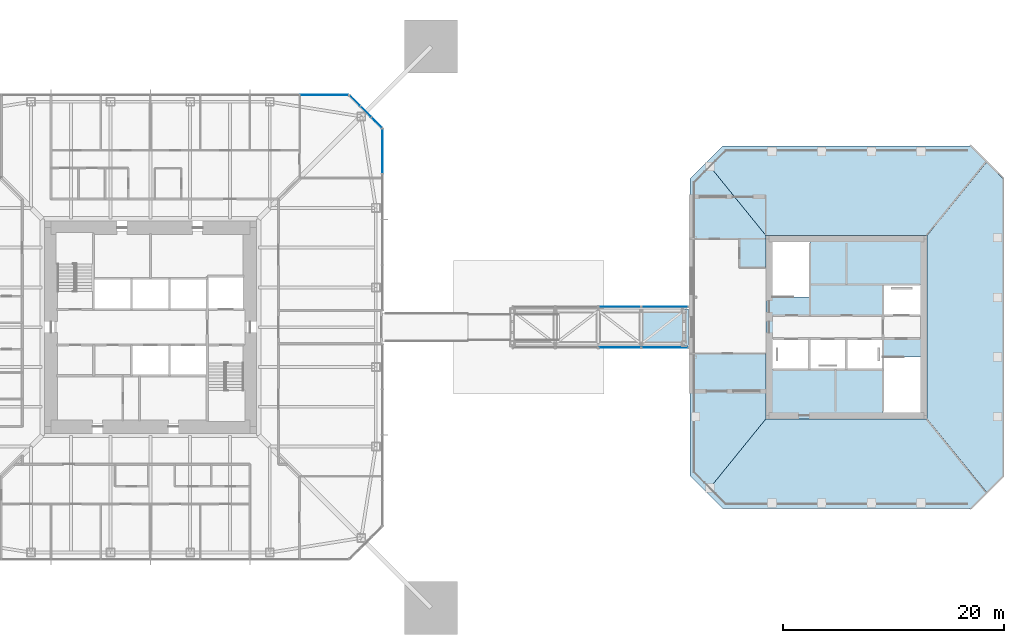
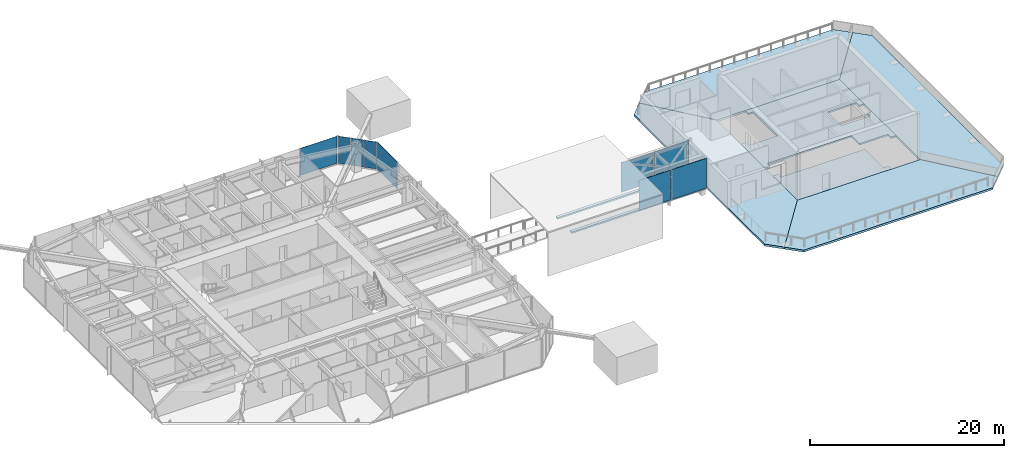
# One storey, part 11 of 23: 9 plates, 7 slabs, 7 elements without a shape of their own.
"""IFC4 building model written with IfcOpenShell, lengths in metres."""

from ifc_helpers import new_model, si_unit, direction, frame, origin, origin_2d, place, context, subcontext, project, spatial, polyline, rectangle, outline, extrude, material, layer, layer_set, type_object, element, aggregate, save


model = new_model("IFC4")

# Units and contexts
model_context = context("Model", 3, precision=1e-05, world=origin(), true_north=direction((0.0, 1.0)))
body_context = subcontext(model_context, "Body", "Model", "MODEL_VIEW")
ifc_project = project(units=[si_unit("LENGTHUNIT", "METRE"), si_unit("AREAUNIT", "SQUARE_METRE"), si_unit("VOLUMEUNIT", "CUBIC_METRE"), si_unit("PLANEANGLEUNIT", "RADIAN"), si_unit("MASSUNIT", "GRAM", prefix="KILO")], contexts=[model_context])

# Site, building, storey
site_placement = place(None, origin())
site = spatial("IfcSite", under=ifc_project, at=site_placement, CompositionType="ELEMENT")
building_placement = place(site_placement, origin())
building = spatial("IfcBuilding", under=site, at=building_placement, Name="Iwan Alto Co-Living Towers", CompositionType="ELEMENT")
storey_placement = place(building_placement, frame((0.0, 0.0, 129.5)))
storey = spatial("IfcBuildingStorey", under=building, at=storey_placement, Name="L35", CompositionType="ELEMENT", Elevation=129.5)

# Slabs
ifc_material_1 = material(Name="Concrete f'c 30 MPa", Category="concrete")
ifc_layer_1 = layer(ifc_material_1, 0.199951171875)
ifc_layer_set_1 = layer_set([ifc_layer_1], Name="BRIDGE DECK SLAB 200")
slab_type_1 = type_object("IfcSlabType", Name="BRIDGE DECK SLAB 200", PredefinedType="FLOOR", material=ifc_layer_set_1)
slab_1_placement = place(storey_placement, frame((0.0, 0.0, -0.199951171875)))
element("IfcSlab", 1, at=slab_1_placement, inside=storey, type_object=slab_type_1, Name="Skybridge BR2 deck", PredefinedType="FLOOR", context=body_context, shape_type="SweptSolid", body=[
    extrude(outline(polyline([(32.75, -1.64990234375), (48.699951171875, -1.64990234375), (48.699951171875, 1.64990234375), (32.75, 1.64990234375), (32.75, 1.300048828125), (44.41259765625, 1.300048828125), (44.41259765625, -1.300048828125), (32.75, -1.300048828125), (32.75, -1.64990234375)])), origin(), (0.0, 0.0, 1.0), 0.199951171875),
])
ifc_material_2 = material(Name="Concrete f'c 30 MPa", Category="concrete")
ifc_layer_2 = layer(ifc_material_2, 0.199951171875)
ifc_layer_set_2 = layer_set([ifc_layer_2], Name="CORE FLOOR SLAB 200")
slab_type_2 = type_object("IfcSlabType", Name="CORE FLOOR SLAB 200", PredefinedType="FLOOR", material=ifc_layer_set_2)
slab_2_placement = place(storey_placement, frame((0.0, 0.0, -0.199951171875)))
element("IfcSlab", 2, at=slab_2_placement, inside=storey, type_object=slab_type_2, Name="T2 core floor and outrigger diaphragm L35", PredefinedType="FLOOR", context=body_context, shape_type="SweptSolid", body=[
    extrude(outline(polyline([(69.699951171875, -2.719970703125), (66.300048828125, -2.719970703125), (66.300048828125, -1.050048828125), (62.967041015625, -1.050048828125), (59.633056640625, -1.050048828125), (56.300048828125, -1.050048828125), (56.300048828125, -1.659912109375), (55.699951171875, -1.659912109375), (55.699951171875, 3.330078125), (56.300048828125, 3.330078125), (56.300048828125, 2.719970703125), (59.699951171875, 2.719970703125), (59.699951171875, 7.699951171875), (59.090087890625, 7.699951171875), (59.090087890625, 8.300048828125), (70.300048828125, 8.300048828125), (70.300048828125, 3.239990234375), (69.699951171875, 3.239990234375), (69.699951171875, 3.85009765625), (66.300048828125, 3.85009765625), (66.300048828125, 1.050048828125), (69.699951171875, 1.050048828125), (69.699951171875, 1.659912109375), (70.300048828125, 1.659912109375), (70.300048828125, -3.330078125), (69.699951171875, -3.330078125), (69.699951171875, -2.719970703125)])), origin(), (0.0, 0.0, 1.0), 0.199951171875),
])
slab_3_placement = place(storey_placement, frame((0.0, 0.0, -0.199951171875)))
element("IfcSlab", 3, at=slab_3_placement, inside=storey, type_object=slab_type_2, Name="T2 core floor and outrigger diaphragm L35", PredefinedType="FLOOR", context=body_context, shape_type="SweptSolid", body=[
    extrude(outline(polyline([(62.967041015625, -3.85009765625), (66.300048828125, -3.85009765625), (66.300048828125, -7.699951171875), (66.909912109375, -7.699951171875), (66.909912109375, -8.300048828125), (55.699951171875, -8.300048828125), (55.699951171875, -3.239990234375), (56.300048828125, -3.239990234375), (56.300048828125, -3.85009765625), (59.633056640625, -3.85009765625), (62.967041015625, -3.85009765625)])), origin(), (0.0, 0.0, 1.0), 0.199951171875),
])

# Curtain wall, plate
ifc_material_3 = material(Name="Bronze aluminium unitised frame", Category="aluminium")
curtain_wall_type_1 = type_object("IfcCurtainWallType", Name="CURTAIN WALL CW-A", PredefinedType="NOTDEFINED", material=ifc_material_3)
curtain_wall_1_placement = place(storey_placement, origin())
curtain_wall_1 = element("IfcCurtainWall", 4, at=curtain_wall_1_placement, inside=storey, type_object=curtain_wall_type_1, Name="T1 curtain wall E L35 part 2", PredefinedType="NOTDEFINED")
ifc_material_4 = material(Name="Bronze-tinted insulating glass", Category="glass")
ifc_layer_3 = layer(ifc_material_4, 0.031982421875)
ifc_layer_set_3 = layer_set([ifc_layer_3], Name="CW-A PANEL TINTED IGU 32")
plate_type_1 = type_object("IfcPlateType", Name="CW-A PANEL TINTED IGU 32", PredefinedType="CURTAIN_PANEL", material=ifc_layer_set_3)
plate_1_placement = place(storey_placement, frame((21.0, 15.91748046875, 0.10009765625), z_axis=(0.0, 0.0, 1.0), x_axis=(0.0, 1.0, 0.0)))
plate_1 = element("IfcPlate", 5, at=plate_1_placement, type_object=plate_type_1, Name="CW-A panel 4.1", PredefinedType="CURTAIN_PANEL", context=body_context, shape_type="SweptSolid", body=[
    extrude(rectangle(XDim=4.0048828125, YDim=0.031982421875, at=origin_2d()), origin(), (0.0, 0.0, 1.0), 3.39990234375),
])
aggregate(curtain_wall_1, [plate_1])

curtain_wall_2_placement = place(storey_placement, origin())
curtain_wall_2 = element("IfcCurtainWall", 6, at=curtain_wall_2_placement, inside=storey, type_object=curtain_wall_type_1, Name="T1 curtain wall N L35", PredefinedType="NOTDEFINED")
plate_2_placement = place(storey_placement, frame((15.72998046875, 21.0, 0.10009765625), z_axis=(0.0, 0.0, 1.0), x_axis=(-1.0, 0.0, 0.0)))
plate_2 = element("IfcPlate", 7, at=plate_2_placement, type_object=plate_type_1, Name="CW-A panel 1.1", PredefinedType="CURTAIN_PANEL", context=body_context, shape_type="SweptSolid", body=[
    extrude(rectangle(XDim=4.3798828125, YDim=0.031982421875, at=origin_2d()), origin(), (0.0, 0.0, 1.0), 3.39990234375),
])
aggregate(curtain_wall_2, [plate_2])

# Curtain wall, plates
ifc_material_5 = material(Name="Bronze aluminium unitised frame", Category="aluminium")
curtain_wall_type_2 = type_object("IfcCurtainWallType", Name="CURTAIN WALL CW-B", PredefinedType="NOTDEFINED", material=ifc_material_5)
curtain_wall_3_placement = place(storey_placement, origin())
curtain_wall_3 = element("IfcCurtainWall", 8, at=curtain_wall_3_placement, inside=storey, type_object=curtain_wall_type_2, Name="T1 chamfer curtain wall NE L35", PredefinedType="NOTDEFINED")
ifc_material_6 = material(Name="Bronze-tinted insulating glass", Category="glass")
ifc_layer_4 = layer(ifc_material_6, 0.031982421875)
ifc_layer_set_4 = layer_set([ifc_layer_4], Name="CW-B PANEL TINTED IGU 32")
plate_type_2 = type_object("IfcPlateType", Name="CW-B PANEL TINTED IGU 32", PredefinedType="CURTAIN_PANEL", material=ifc_layer_set_4)
plate_3_placement = place(storey_placement, frame((20.48583984375, 18.51416015625, 0.10009765625), z_axis=(0.0, 0.0, 1.0), x_axis=(-0.707106781187, 0.707106781187, 0.0)))
plate_3 = element("IfcPlate", 9, at=plate_3_placement, type_object=plate_type_2, Name="CW-B panel 1.1", PredefinedType="CURTAIN_PANEL", context=body_context, shape_type="SweptSolid", body=[
    extrude(rectangle(XDim=1.294189453125, YDim=0.031982421875, at=origin_2d()), origin(), (0.0, 0.0, 1.0), 3.39990234375),
])
plate_4_placement = place(storey_placement, frame((19.5, 19.5, 0.10009765625), z_axis=(0.0, 0.0, 1.0), x_axis=(-0.707106781187, 0.707106781187, 0.0)))
plate_4 = element("IfcPlate", 10, at=plate_4_placement, type_object=plate_type_2, Name="CW-B panel 2.1", PredefinedType="CURTAIN_PANEL", context=body_context, shape_type="SweptSolid", body=[
    extrude(rectangle(XDim=1.334228515625, YDim=0.031982421875, at=origin_2d()), origin(), (0.0, 0.0, 1.0), 3.39990234375),
])
plate_5_placement = place(storey_placement, frame((18.51416015625, 20.48583984375, 0.10009765625), z_axis=(0.0, 0.0, 1.0), x_axis=(-0.707106781187, 0.707106781187, 0.0)))
plate_5 = element("IfcPlate", 11, at=plate_5_placement, type_object=plate_type_2, Name="CW-B panel 3.1", PredefinedType="CURTAIN_PANEL", context=body_context, shape_type="SweptSolid", body=[
    extrude(rectangle(XDim=1.294189453125, YDim=0.031982421875, at=origin_2d()), origin(), (0.0, 0.0, 1.0), 3.39990234375),
])
aggregate(curtain_wall_3, [plate_3, plate_4, plate_5])

# Curtain wall, plate
ifc_material_7 = material(Name="Bronze aluminium stick frame", Category="aluminium")
curtain_wall_type_3 = type_object("IfcCurtainWallType", Name="CURTAIN WALL CW-F", PredefinedType="NOTDEFINED", material=ifc_material_7)
curtain_wall_4_placement = place(storey_placement, origin())
curtain_wall_4 = element("IfcCurtainWall", 12, at=curtain_wall_4_placement, inside=storey, type_object=curtain_wall_type_3, Name="Skybridge BR2 glazing S 3", PredefinedType="NOTDEFINED")
ifc_material_8 = material(Name="Insulated bronze aluminium spandrel panel", Category="aluminium")
ifc_layer_5 = layer(ifc_material_8, 0.031982421875)
ifc_layer_set_5 = layer_set([ifc_layer_5], Name="CW-F SPANDREL PANEL 32")
plate_type_3 = type_object("IfcPlateType", Name="CW-F SPANDREL PANEL 32", PredefinedType="CURTAIN_PANEL", material=ifc_layer_set_5)
plate_6_placement = place(storey_placement, frame((42.46875, -1.85009765625, 0.10009765625), z_axis=(0.0, 0.0, 1.0), x_axis=(1.0, 0.0, 0.0)))
plate_6 = element("IfcPlate", 13, at=plate_6_placement, type_object=plate_type_3, Name="CW-F spandrel panel 1.1 (braced bay)", PredefinedType="CURTAIN_PANEL", context=body_context, shape_type="SweptSolid", body=[
    extrude(rectangle(XDim=3.7275390625, YDim=0.031982421875, at=origin_2d()), origin(), (0.0, 0.0, 1.0), 3.75),
])
aggregate(curtain_wall_4, [plate_6])

curtain_wall_5_placement = place(storey_placement, origin())
curtain_wall_5 = element("IfcCurtainWall", 14, at=curtain_wall_5_placement, inside=storey, type_object=curtain_wall_type_3, Name="Skybridge BR2 glazing S 4", PredefinedType="NOTDEFINED")
plate_7_placement = place(storey_placement, frame((46.55615234375, -1.85009765625, 0.10009765625), z_axis=(0.0, 0.0, 1.0), x_axis=(1.0, 0.0, 0.0)))
plate_7 = element("IfcPlate", 15, at=plate_7_placement, type_object=plate_type_3, Name="CW-F spandrel panel 1.1 (braced bay)", PredefinedType="CURTAIN_PANEL", context=body_context, shape_type="SweptSolid", body=[
    extrude(rectangle(XDim=4.12744140625, YDim=0.031982421875, at=origin_2d()), origin(), (0.0, 0.0, 1.0), 3.75),
])
aggregate(curtain_wall_5, [plate_7])

curtain_wall_6_placement = place(storey_placement, origin())
curtain_wall_6 = element("IfcCurtainWall", 16, at=curtain_wall_6_placement, inside=storey, type_object=curtain_wall_type_3, Name="Skybridge BR2 glazing N 3", PredefinedType="NOTDEFINED")
plate_8_placement = place(storey_placement, frame((42.46875, 1.85009765625, 0.10009765625), z_axis=(0.0, 0.0, 1.0), x_axis=(-1.0, 0.0, 0.0)))
plate_8 = element("IfcPlate", 17, at=plate_8_placement, type_object=plate_type_3, Name="CW-F spandrel panel 1.1 (braced bay)", PredefinedType="CURTAIN_PANEL", context=body_context, shape_type="SweptSolid", body=[
    extrude(rectangle(XDim=3.7275390625, YDim=0.031982421875, at=origin_2d()), origin(), (0.0, 0.0, 1.0), 3.75),
])
aggregate(curtain_wall_6, [plate_8])

curtain_wall_7_placement = place(storey_placement, origin())
curtain_wall_7 = element("IfcCurtainWall", 18, at=curtain_wall_7_placement, inside=storey, type_object=curtain_wall_type_3, Name="Skybridge BR2 glazing N 4", PredefinedType="NOTDEFINED")
plate_9_placement = place(storey_placement, frame((46.55615234375, 1.85009765625, 0.10009765625), z_axis=(0.0, 0.0, 1.0), x_axis=(-1.0, 0.0, 0.0)))
plate_9 = element("IfcPlate", 19, at=plate_9_placement, type_object=plate_type_3, Name="CW-F spandrel panel 1.1 (braced bay)", PredefinedType="CURTAIN_PANEL", context=body_context, shape_type="SweptSolid", body=[
    extrude(rectangle(XDim=4.12744140625, YDim=0.031982421875, at=origin_2d()), origin(), (0.0, 0.0, 1.0), 3.75),
])
aggregate(curtain_wall_7, [plate_9])

# Slabs
ifc_material_9 = material(Name="Concrete f'c 30 MPa", Category="concrete")
ifc_layer_6 = layer(ifc_material_9, 0.25)
ifc_layer_set_6 = layer_set([ifc_layer_6], Name="T2 ROOF SLAB 250")
slab_type_3 = type_object("IfcSlabType", Name="T2 ROOF SLAB 250", PredefinedType="ROOF", material=ifc_layer_set_6)
slab_4_placement = place(storey_placement, frame((0.0, 0.0, -0.25)))
element("IfcSlab", 20, at=slab_4_placement, inside=storey, type_object=slab_type_3, Name="T2 roof slab L35 E pour", PredefinedType="ROOF", context=body_context, shape_type="SweptSolid", body=[
    extrude(outline(polyline([(77.14990234375, 13.44140625), (77.14990234375, -13.44140625), (75.669189453125, -14.92236328125), (70.300048828125, -8.300048828125), (70.300048828125, 8.300048828125), (75.669189453125, 14.92236328125), (77.14990234375, 13.44140625)])), origin(), (0.0, 0.0, 1.0), 0.25),
])
ifc_material_10 = material(Name="Concrete f'c 30 MPa", Category="concrete")
ifc_layer_7 = layer(ifc_material_10, 0.25)
ifc_layer_set_7 = layer_set([ifc_layer_7], Name="T2 ROOF TERRACE SLAB 250")
slab_type_4 = type_object("IfcSlabType", Name="T2 ROOF TERRACE SLAB 250", PredefinedType="FLOOR", material=ifc_layer_set_7)
slab_5_placement = place(storey_placement, frame((0.0, 0.0, -0.25)))
element("IfcSlab", 21, at=slab_5_placement, inside=storey, type_object=slab_type_4, Name="T2 roof terrace slab L35 S pour", PredefinedType="FLOOR", context=body_context, shape_type="SweptSolid", body=[
    extrude(outline(polyline([(74.19140625, -16.39990234375), (51.80859375, -16.39990234375), (50.330810546875, -14.92236328125), (55.699951171875, -8.300048828125), (70.300048828125, -8.300048828125), (75.669189453125, -14.92236328125), (74.19140625, -16.39990234375)])), origin(), (0.0, 0.0, 1.0), 0.25),
])
slab_6_placement = place(storey_placement, frame((0.0, 0.0, -0.25)))
element("IfcSlab", 22, at=slab_6_placement, inside=storey, type_object=slab_type_4, Name="T2 roof terrace slab L35 N pour", PredefinedType="FLOOR", context=body_context, shape_type="SweptSolid", body=[
    extrude(outline(polyline([(51.80859375, 16.39990234375), (74.19140625, 16.39990234375), (75.669189453125, 14.92236328125), (70.300048828125, 8.300048828125), (55.699951171875, 8.300048828125), (50.330810546875, 14.92236328125), (51.80859375, 16.39990234375)])), origin(), (0.0, 0.0, 1.0), 0.25),
])
slab_7_placement = place(storey_placement, frame((0.0, 0.0, -0.25)))
element("IfcSlab", 23, at=slab_7_placement, inside=storey, type_object=slab_type_4, Name="T2 roof terrace slab L35 W pour", PredefinedType="FLOOR", context=body_context, shape_type="SweptSolid", body=[
    extrude(outline(polyline([(48.85009765625, 13.44140625), (50.330810546875, 14.92236328125), (55.699951171875, 8.300048828125), (55.699951171875, -8.300048828125), (50.330810546875, -14.92236328125), (48.85009765625, -13.44140625), (48.85009765625, 13.44140625)])), origin(), (0.0, 0.0, 1.0), 0.25),
])

save(model, "model.ifc")
